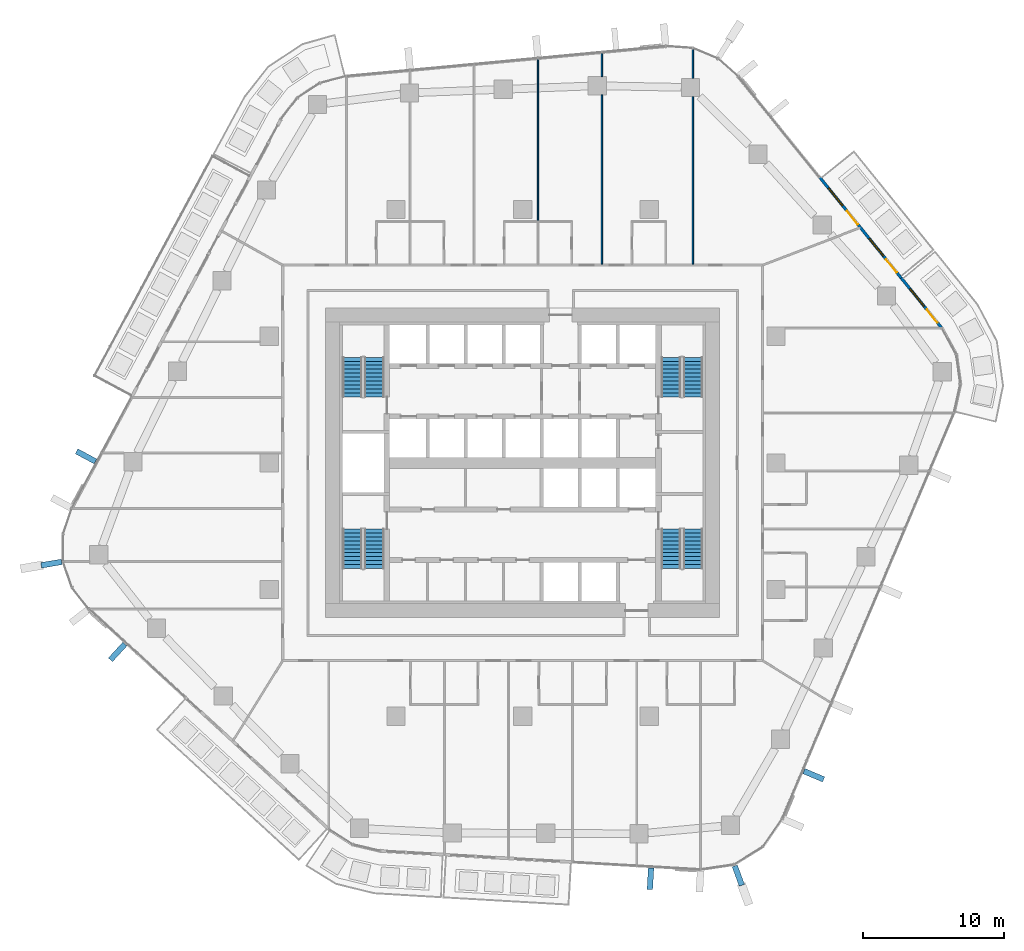
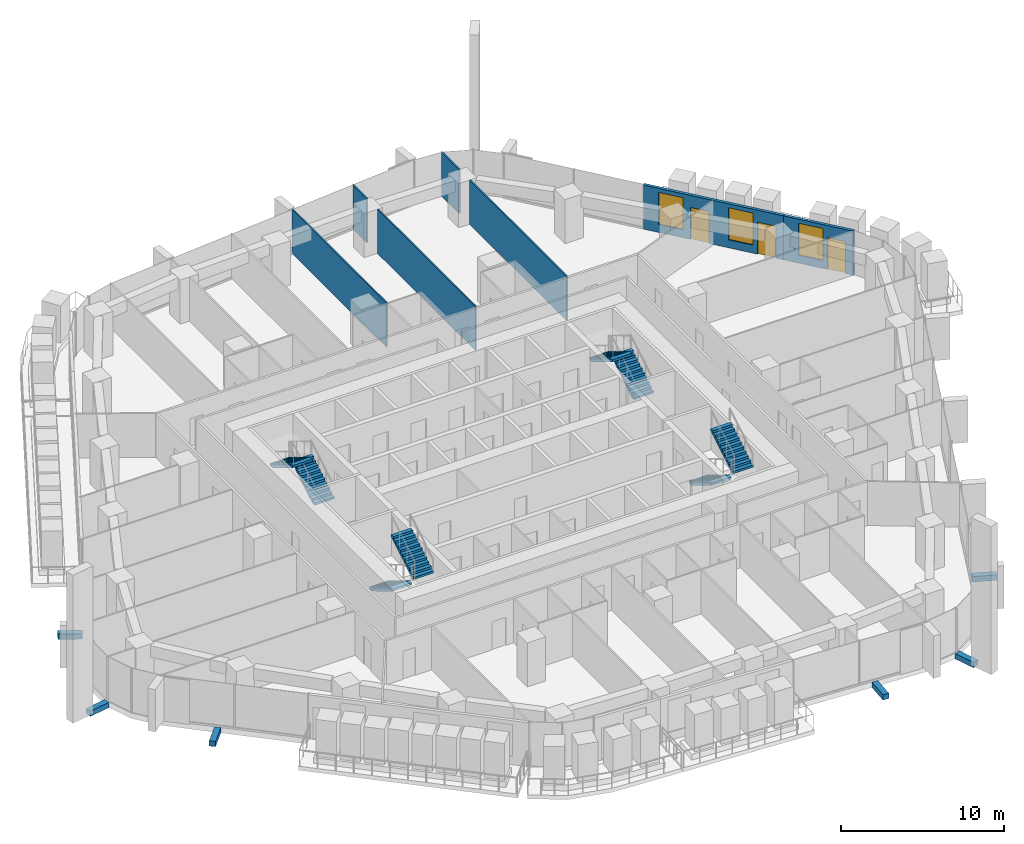
# One storey, part 17 of 24: 8 stair flights, 7 walls, 6 discrete accessories, 3 doors, 3 windows, 6 openings, 4 elements without a shape of their own.
"""IFC4 building model written with IfcOpenShell, lengths in metres."""

from ifc_helpers import new_model, si_unit, direction, frame, frame_2d, origin, origin_2d, place, context, subcontext, project, spatial, polyline, rectangle, outline, extrude, material, layer, layer_set, type_object, element, fill, aggregate, save


model = new_model("IFC4")

# Units and contexts
model_context = context("Model", 3, precision=1e-05, world=origin(), true_north=direction((0.0, 1.0)))
body_context = subcontext(model_context, "Body", "Model", "MODEL_VIEW")
ifc_project = project(units=[si_unit("LENGTHUNIT", "METRE"), si_unit("AREAUNIT", "SQUARE_METRE"), si_unit("VOLUMEUNIT", "CUBIC_METRE"), si_unit("PLANEANGLEUNIT", "RADIAN"), si_unit("MASSUNIT", "GRAM", prefix="KILO")], contexts=[model_context])

# Site, building, storey
site_placement = place(None, origin())
site = spatial("IfcSite", under=ifc_project, at=site_placement, CompositionType="ELEMENT")
building_placement = place(site_placement, origin())
building = spatial("IfcBuilding", under=site, at=building_placement, Name="Dongbaek Canopy Tower", CompositionType="ELEMENT")
storey_placement = place(building_placement, frame((0.0, 0.0, 117.39990234375)))
storey = spatial("IfcBuildingStorey", under=building, at=storey_placement, Name="L25", CompositionType="ELEMENT", Elevation=117.39990234375)

# Walls
ifc_material_1 = material(Name="Gypsum board partition, steel stud, 2 x 12.5 mm board", Category="steel")
ifc_layer_1 = layer(ifc_material_1, 0.10009765625)
ifc_layer_set_1 = layer_set([ifc_layer_1], Name="Partition 100 gypsum board")
wall_type_1 = type_object("IfcWallType", Name="Partition 100 gypsum board", PredefinedType="PARTITIONING", material=ifc_layer_set_1)
wall_1_placement = place(storey_placement, frame((12.091064453125, 14.125, 0.0), z_axis=(0.0, 0.0, 1.0), x_axis=(0.0, 1.0, 0.0)))
element("IfcWall", 1, at=wall_1_placement, inside=storey, type_object=wall_type_1, Name="Partition", PredefinedType="PARTITIONING", context=body_context, shape_type="SweptSolid", body=[
    extrude(rectangle(XDim=11.89892578125, YDim=0.10009765625, at=frame_2d((5.949462890625, 0.0))), origin(), (0.0, 0.0, 1.0), 3.300048828125),
])
wall_2_placement = place(storey_placement, frame((12.091064453125, 27.323974609375, 0.0), z_axis=(0.0, 0.0, 1.0), x_axis=(0.0, 1.0, 0.0)))
element("IfcWall", 2, at=wall_2_placement, inside=storey, type_object=wall_type_1, Name="Partition", PredefinedType="PARTITIONING", context=body_context, shape_type="SweptSolid", body=[
    extrude(rectangle(XDim=2.12841796875, YDim=0.10009765625, at=frame_2d((1.064208984375, 0.0))), origin(), (0.0, 0.0, 1.0), 3.300048828125),
])
wall_3_placement = place(storey_placement, frame((5.62890625, 14.125, 0.0), z_axis=(0.0, 0.0, 1.0), x_axis=(0.0, 1.0, 0.0)))
element("IfcWall", 3, at=wall_3_placement, inside=storey, type_object=wall_type_1, Name="Partition", PredefinedType="PARTITIONING", context=body_context, shape_type="SweptSolid", body=[
    extrude(rectangle(XDim=12.02294921875, YDim=0.10009765625, at=frame_2d((6.011474609375, 0.0))), origin(), (0.0, 0.0, 1.0), 3.300048828125),
])
wall_4_placement = place(storey_placement, frame((5.62890625, 27.447998046875, 0.0), z_axis=(0.0, 0.0, 1.0), x_axis=(0.0, 1.0, 0.0)))
element("IfcWall", 4, at=wall_4_placement, inside=storey, type_object=wall_type_1, Name="Partition", PredefinedType="PARTITIONING", context=body_context, shape_type="SweptSolid", body=[
    extrude(rectangle(XDim=1.716796875, YDim=0.10009765625, at=frame_2d((0.8583984375, 0.0))), origin(), (0.0, 0.0, 1.0), 3.300048828125),
])
wall_5_placement = place(storey_placement, frame((1.0869140625, 17.199951171875, 0.0), z_axis=(0.0, 0.0, 1.0), x_axis=(0.0, 1.0, 0.0)))
element("IfcWall", 5, at=wall_5_placement, inside=storey, type_object=wall_type_1, Name="Partition", PredefinedType="PARTITIONING", context=body_context, shape_type="SweptSolid", body=[
    extrude(rectangle(XDim=11.538818359375, YDim=0.10009765625, at=frame_2d((5.76953125, 0.0))), origin(), (0.0, 0.0, 1.0), 3.300048828125),
])

# Wall, openings, doors, windows
ifc_material_2 = material(Name="Aluminium window wall", Category="aluminium")
ifc_layer_2 = layer(ifc_material_2, 0.199951171875)
ifc_layer_set_2 = layer_set([ifc_layer_2], Name="Window wall 200")
wall_type_2 = type_object("IfcWallType", Name="Window wall 200", PredefinedType="SOLIDWALL", material=ifc_layer_set_2)
wall_6_placement = place(storey_placement, frame((26.892333984375, 13.141845703125, 0.0), z_axis=(0.0, 0.0, 1.0), x_axis=(-0.629299699172, 0.777162716953, 0.0)))
wall_6 = element("IfcWall", 6, at=wall_6_placement, inside=storey, type_object=wall_type_2, Name="Window wall L25 1", PredefinedType="SOLIDWALL", context=body_context, shape_type="SweptSolid", body=[
    extrude(rectangle(XDim=9.205078125, YDim=0.199951171875, at=frame_2d((4.6025390625, 0.0))), origin(), (0.0, 0.0, 1.0), 3.300048828125),
])
opening_1_placement = place(wall_6_placement, frame((2.0, 0.0, 0.60009765625)))
opening_1 = element("IfcOpeningElement", 7, at=opening_1_placement, cuts=wall_6, Name="Opening W1", PredefinedType="OPENING", context=body_context, shape_type="SweptSolid", body=[
    extrude(rectangle(XDim=1.60009765625, YDim=2.39990234375, at=frame_2d((0.800048828125, 1.199951171875))), frame((0.0, 0.10986328125, 0.0), z_axis=(0.0, -1.0, 0.0), x_axis=(1.0, 0.0, 0.0)), (0.0, 0.0, 1.0), 0.219970703125),
])
opening_2_placement = place(wall_6_placement, frame((0.5, 0.0, 0.0)))
opening_2 = element("IfcOpeningElement", 8, at=opening_2_placement, cuts=wall_6, Name="Opening L25-B01", PredefinedType="OPENING", context=body_context, shape_type="SweptSolid", body=[
    extrude(rectangle(XDim=1.199951171875, YDim=2.39990234375, at=frame_2d((0.60009765625, 1.199951171875))), frame((0.0, 0.10986328125, 0.0), z_axis=(0.0, -1.0, 0.0), x_axis=(1.0, 0.0, 0.0)), (0.0, 0.0, 1.0), 0.219970703125),
])
opening_3_placement = place(wall_6_placement, frame((6.6025390625, 0.0, 0.60009765625)))
opening_3 = element("IfcOpeningElement", 9, at=opening_3_placement, cuts=wall_6, Name="Opening W1", PredefinedType="OPENING", context=body_context, shape_type="SweptSolid", body=[
    extrude(rectangle(XDim=1.60009765625, YDim=2.39990234375, at=frame_2d((0.800048828125, 1.199951171875))), frame((0.0, 0.10986328125, 0.0), z_axis=(0.0, -1.0, 0.0), x_axis=(1.0, 0.0, 0.0)), (0.0, 0.0, 1.0), 0.219970703125),
])
opening_4_placement = place(wall_6_placement, frame((4.902587890625, 0.0, 0.0)))
opening_4 = element("IfcOpeningElement", 10, at=opening_4_placement, cuts=wall_6, Name="Opening L25-B02", PredefinedType="OPENING", context=body_context, shape_type="SweptSolid", body=[
    extrude(rectangle(XDim=1.199951171875, YDim=2.39990234375, at=frame_2d((0.60009765625, 1.199951171875))), frame((0.0, 0.10986328125, 0.0), z_axis=(0.0, -1.0, 0.0), x_axis=(1.0, 0.0, 0.0)), (0.0, 0.0, 1.0), 0.219970703125),
])
ifc_material_3 = material(Name="Clear glazing in aluminium frame", Category="aluminium")
door_type = type_object("IfcDoorType", Name="Balcony door BD1 1200 x 2400", OperationType="SLIDING_TO_LEFT", PredefinedType="DOOR", material=ifc_material_3)
door_1_placement = place(opening_2_placement, origin())
door_1 = element("IfcDoor", 11, at=door_1_placement, inside=storey, type_object=door_type, Name="Balcony door L25-B01", OperationType="SLIDING_TO_LEFT", OverallHeight=2.39990234375, OverallWidth=1.199951171875, PredefinedType="DOOR", context=body_context, shape_type="SweptSolid", body=[
    extrude(rectangle(XDim=1.199951171875, YDim=2.39990234375, at=frame_2d((0.60009765625, 1.199951171875))), frame((0.0, 0.02490234375, 0.0), z_axis=(0.0, -1.0, 0.0), x_axis=(1.0, 0.0, 0.0)), (0.0, 0.0, 1.0), 0.050048828125),
])
fill(opening_2, door_1)
door_2_placement = place(opening_4_placement, origin())
door_2 = element("IfcDoor", 12, at=door_2_placement, inside=storey, type_object=door_type, Name="Balcony door L25-B02", OperationType="SLIDING_TO_LEFT", OverallHeight=2.39990234375, OverallWidth=1.199951171875, PredefinedType="DOOR", context=body_context, shape_type="SweptSolid", body=[
    extrude(rectangle(XDim=1.199951171875, YDim=2.39990234375, at=frame_2d((0.60009765625, 1.199951171875))), frame((0.0, 0.02490234375, 0.0), z_axis=(0.0, -1.0, 0.0), x_axis=(1.0, 0.0, 0.0)), (0.0, 0.0, 1.0), 0.050048828125),
])
fill(opening_4, door_2)
ifc_material_4 = material(Name="Clear glazing in aluminium frame", Category="aluminium")
window_type = type_object("IfcWindowType", Name="Window W1 1600 x 2400", PartitioningType="SINGLE_PANEL", PredefinedType="WINDOW", material=ifc_material_4)
window_1_placement = place(opening_1_placement, origin())
window_1 = element("IfcWindow", 13, at=window_1_placement, inside=storey, type_object=window_type, Name="Window L25 1.1", OverallHeight=2.39990234375, OverallWidth=1.60009765625, PartitioningType="SINGLE_PANEL", PredefinedType="WINDOW", context=body_context, shape_type="SweptSolid", body=[
    extrude(rectangle(XDim=1.60009765625, YDim=2.39990234375, at=frame_2d((0.800048828125, 1.199951171875))), frame((0.0, 0.030029296875, 0.0), z_axis=(0.0, -1.0, 0.0), x_axis=(1.0, 0.0, 0.0)), (0.0, 0.0, 1.0), 0.06005859375),
])
fill(opening_1, window_1)
window_2_placement = place(opening_3_placement, origin())
window_2 = element("IfcWindow", 14, at=window_2_placement, inside=storey, type_object=window_type, Name="Window L25 1.2", OverallHeight=2.39990234375, OverallWidth=1.60009765625, PartitioningType="SINGLE_PANEL", PredefinedType="WINDOW", context=body_context, shape_type="SweptSolid", body=[
    extrude(rectangle(XDim=1.60009765625, YDim=2.39990234375, at=frame_2d((0.800048828125, 1.199951171875))), frame((0.0, 0.030029296875, 0.0), z_axis=(0.0, -1.0, 0.0), x_axis=(1.0, 0.0, 0.0)), (0.0, 0.0, 1.0), 0.06005859375),
])
fill(opening_3, window_2)

# Wall, openings, door, window
wall_7_placement = place(storey_placement, frame((29.782958984375, 9.572021484375, 0.0), z_axis=(0.0, 0.0, 1.0), x_axis=(-0.629299136059, 0.777163172928, 0.0)))
wall_7 = element("IfcWall", 15, at=wall_7_placement, inside=storey, type_object=wall_type_2, Name="Window wall L25 5", PredefinedType="SOLIDWALL", context=body_context, shape_type="SweptSolid", body=[
    extrude(rectangle(XDim=4.593505859375, YDim=0.199951171875, at=frame_2d((2.296875, 0.0))), origin(), (0.0, 0.0, 1.0), 3.300048828125),
])
opening_5_placement = place(wall_7_placement, frame((2.0, 0.0, 0.60009765625)))
opening_5 = element("IfcOpeningElement", 16, at=opening_5_placement, cuts=wall_7, Name="Opening W1", PredefinedType="OPENING", context=body_context, shape_type="SweptSolid", body=[
    extrude(rectangle(XDim=1.60009765625, YDim=2.39990234375, at=frame_2d((0.800048828125, 1.199951171875))), frame((0.0, 0.10986328125, 0.0), z_axis=(0.0, -1.0, 0.0), x_axis=(1.0, 0.0, 0.0)), (0.0, 0.0, 1.0), 0.219970703125),
])
opening_6_placement = place(wall_7_placement, frame((0.5, 0.0, 0.0)))
opening_6 = element("IfcOpeningElement", 17, at=opening_6_placement, cuts=wall_7, Name="Opening L25-B03", PredefinedType="OPENING", context=body_context, shape_type="SweptSolid", body=[
    extrude(rectangle(XDim=1.199951171875, YDim=2.39990234375, at=frame_2d((0.60009765625, 1.199951171875))), frame((0.0, 0.10986328125, 0.0), z_axis=(0.0, -1.0, 0.0), x_axis=(1.0, 0.0, 0.0)), (0.0, 0.0, 1.0), 0.219970703125),
])
door_3_placement = place(opening_6_placement, origin())
door_3 = element("IfcDoor", 18, at=door_3_placement, inside=storey, type_object=door_type, Name="Balcony door L25-B03", OperationType="SLIDING_TO_LEFT", OverallHeight=2.39990234375, OverallWidth=1.199951171875, PredefinedType="DOOR", context=body_context, shape_type="SweptSolid", body=[
    extrude(rectangle(XDim=1.199951171875, YDim=2.39990234375, at=frame_2d((0.60009765625, 1.199951171875))), frame((0.0, 0.02490234375, 0.0), z_axis=(0.0, -1.0, 0.0), x_axis=(1.0, 0.0, 0.0)), (0.0, 0.0, 1.0), 0.050048828125),
])
fill(opening_6, door_3)
window_3_placement = place(opening_5_placement, origin())
window_3 = element("IfcWindow", 19, at=window_3_placement, inside=storey, type_object=window_type, Name="Window L25 5.1", OverallHeight=2.39990234375, OverallWidth=1.60009765625, PartitioningType="SINGLE_PANEL", PredefinedType="WINDOW", context=body_context, shape_type="SweptSolid", body=[
    extrude(rectangle(XDim=1.60009765625, YDim=2.39990234375, at=frame_2d((0.800048828125, 1.199951171875))), frame((0.0, 0.030029296875, 0.0), z_axis=(0.0, -1.0, 0.0), x_axis=(1.0, 0.0, 0.0)), (0.0, 0.0, 1.0), 0.06005859375),
])
fill(opening_5, window_3)

# Stair, stair flights
ifc_material_5 = material(Name="Concrete C40/50", Category="concrete")
stair_type = type_object("IfcStairType", Name="Core exit stair", PredefinedType="HALF_TURN_STAIR", material=ifc_material_5)
stair_1_placement = place(storey_placement, origin())
stair_1 = element("IfcStair", 20, at=stair_1_placement, inside=storey, type_object=stair_type, Name="L25 exit stair A", PredefinedType="HALF_TURN_STAIR")
ifc_material_6 = material(Name="Concrete C40/50", Category="concrete")
ifc_layer_3 = layer(ifc_material_6, 0.14990234375)
ifc_layer_set_3 = layer_set([ifc_layer_3], Name="Core stair flight 150 waist")
stair_flight_type = type_object("IfcStairFlightType", Name="Core stair flight 150 waist", PredefinedType="STRAIGHT", material=ifc_layer_set_3)
stair_flight_1_placement = place(storey_placement, frame((12.10009765625, 4.699951171875, 0.0), z_axis=(0.0, 0.0, 1.0), x_axis=(0.0, 1.0, 0.0)))
stair_flight_1 = element("IfcStairFlight", 21, at=stair_flight_1_placement, type_object=stair_flight_type, Name="ST-A flight 1", NumberOfRisers=11, NumberOfTreads=10, PredefinedType="STRAIGHT", RiserHeight=0.168181818, TreadLength=0.28, context=body_context, shape_type="SweptSolid", body=[
    extrude(outline(polyline([(0.0, 0.0), (0.0, 0.168212890625), (0.280029296875, 0.168212890625), (0.280029296875, 0.33642578125), (0.56005859375, 0.33642578125), (0.56005859375, 0.504638671875), (0.840087890625, 0.504638671875), (0.840087890625, 0.672607421875), (1.1201171875, 0.672607421875), (1.1201171875, 0.8408203125), (1.39990234375, 0.8408203125), (1.39990234375, 1.009033203125), (1.679931640625, 1.009033203125), (1.679931640625, 1.17724609375), (1.9599609375, 1.17724609375), (1.9599609375, 1.345458984375), (2.239990234375, 1.345458984375), (2.239990234375, 1.513671875), (2.52001953125, 1.513671875), (2.52001953125, 1.681884765625), (2.800048828125, 1.681884765625), (2.800048828125, 1.85009765625), (2.800048828125, 1.5068359375), (0.291015625, 0.0), (0.0, 0.0)])), frame((0.0, 0.699951171875, 0.0), z_axis=(0.0, -1.0, 0.0), x_axis=(1.0, 0.0, 0.0)), (0.0, 0.0, 1.0), 1.39990234375),
])
stair_flight_2_placement = place(storey_placement, frame((10.550048828125, 7.5, 1.85009765625), z_axis=(0.0, 0.0, 1.0), x_axis=(0.0, -1.0, 0.0)))
stair_flight_2 = element("IfcStairFlight", 22, at=stair_flight_2_placement, type_object=stair_flight_type, Name="ST-A flight 2", NumberOfRisers=11, NumberOfTreads=10, PredefinedType="STRAIGHT", RiserHeight=0.168181818, TreadLength=0.28, context=body_context, shape_type="SweptSolid", body=[
    extrude(outline(polyline([(0.0, 0.0), (0.0, 0.168212890625), (0.280029296875, 0.168212890625), (0.280029296875, 0.33642578125), (0.56005859375, 0.33642578125), (0.56005859375, 0.504638671875), (0.840087890625, 0.504638671875), (0.840087890625, 0.672607421875), (1.1201171875, 0.672607421875), (1.1201171875, 0.8408203125), (1.39990234375, 0.8408203125), (1.39990234375, 1.009033203125), (1.679931640625, 1.009033203125), (1.679931640625, 1.17724609375), (1.9599609375, 1.17724609375), (1.9599609375, 1.345458984375), (2.239990234375, 1.345458984375), (2.239990234375, 1.513671875), (2.52001953125, 1.513671875), (2.52001953125, 1.681884765625), (2.800048828125, 1.681884765625), (2.800048828125, 1.85009765625), (2.800048828125, 1.5068359375), (0.291015625, 0.0), (0.0, 0.0)])), frame((0.0, 0.699951171875, 0.0), z_axis=(0.0, -1.0, 0.0), x_axis=(1.0, 0.0, 0.0)), (0.0, 0.0, 1.0), 1.39990234375),
])
aggregate(stair_1, [stair_flight_1, stair_flight_2])

stair_2_placement = place(storey_placement, origin())
stair_2 = element("IfcStair", 23, at=stair_2_placement, inside=storey, type_object=stair_type, Name="L25 exit stair C", PredefinedType="HALF_TURN_STAIR")
stair_flight_3_placement = place(storey_placement, frame((-10.550048828125, 4.699951171875, 0.0), z_axis=(0.0, 0.0, 1.0), x_axis=(0.0, 1.0, 0.0)))
stair_flight_3 = element("IfcStairFlight", 24, at=stair_flight_3_placement, type_object=stair_flight_type, Name="ST-C flight 1", NumberOfRisers=11, NumberOfTreads=10, PredefinedType="STRAIGHT", RiserHeight=0.168181818, TreadLength=0.28, context=body_context, shape_type="SweptSolid", body=[
    extrude(outline(polyline([(0.0, 0.0), (0.0, 0.168212890625), (0.280029296875, 0.168212890625), (0.280029296875, 0.33642578125), (0.56005859375, 0.33642578125), (0.56005859375, 0.504638671875), (0.840087890625, 0.504638671875), (0.840087890625, 0.672607421875), (1.1201171875, 0.672607421875), (1.1201171875, 0.8408203125), (1.39990234375, 0.8408203125), (1.39990234375, 1.009033203125), (1.679931640625, 1.009033203125), (1.679931640625, 1.17724609375), (1.9599609375, 1.17724609375), (1.9599609375, 1.345458984375), (2.239990234375, 1.345458984375), (2.239990234375, 1.513671875), (2.52001953125, 1.513671875), (2.52001953125, 1.681884765625), (2.800048828125, 1.681884765625), (2.800048828125, 1.85009765625), (2.800048828125, 1.5068359375), (0.291015625, 0.0), (0.0, 0.0)])), frame((0.0, 0.699951171875, 0.0), z_axis=(0.0, -1.0, 0.0), x_axis=(1.0, 0.0, 0.0)), (0.0, 0.0, 1.0), 1.39990234375),
])
stair_flight_4_placement = place(storey_placement, frame((-12.10009765625, 7.5, 1.85009765625), z_axis=(0.0, 0.0, 1.0), x_axis=(0.0, -1.0, 0.0)))
stair_flight_4 = element("IfcStairFlight", 25, at=stair_flight_4_placement, type_object=stair_flight_type, Name="ST-C flight 2", NumberOfRisers=11, NumberOfTreads=10, PredefinedType="STRAIGHT", RiserHeight=0.168181818, TreadLength=0.28, context=body_context, shape_type="SweptSolid", body=[
    extrude(outline(polyline([(0.0, 0.0), (0.0, 0.168212890625), (0.280029296875, 0.168212890625), (0.280029296875, 0.33642578125), (0.56005859375, 0.33642578125), (0.56005859375, 0.504638671875), (0.840087890625, 0.504638671875), (0.840087890625, 0.672607421875), (1.1201171875, 0.672607421875), (1.1201171875, 0.8408203125), (1.39990234375, 0.8408203125), (1.39990234375, 1.009033203125), (1.679931640625, 1.009033203125), (1.679931640625, 1.17724609375), (1.9599609375, 1.17724609375), (1.9599609375, 1.345458984375), (2.239990234375, 1.345458984375), (2.239990234375, 1.513671875), (2.52001953125, 1.513671875), (2.52001953125, 1.681884765625), (2.800048828125, 1.681884765625), (2.800048828125, 1.85009765625), (2.800048828125, 1.5068359375), (0.291015625, 0.0), (0.0, 0.0)])), frame((0.0, 0.699951171875, 0.0), z_axis=(0.0, -1.0, 0.0), x_axis=(1.0, 0.0, 0.0)), (0.0, 0.0, 1.0), 1.39990234375),
])
aggregate(stair_2, [stair_flight_3, stair_flight_4])

stair_3_placement = place(storey_placement, origin())
stair_3 = element("IfcStair", 26, at=stair_3_placement, inside=storey, type_object=stair_type, Name="L25 exit stair B", PredefinedType="HALF_TURN_STAIR")
stair_flight_5_placement = place(storey_placement, frame((10.550048828125, -4.699951171875, 0.0), z_axis=(0.0, 0.0, 1.0), x_axis=(0.0, -1.0, 0.0)))
stair_flight_5 = element("IfcStairFlight", 27, at=stair_flight_5_placement, type_object=stair_flight_type, Name="ST-B flight 1", NumberOfRisers=11, NumberOfTreads=10, PredefinedType="STRAIGHT", RiserHeight=0.168181818, TreadLength=0.28, context=body_context, shape_type="SweptSolid", body=[
    extrude(outline(polyline([(0.0, 0.0), (0.0, 0.168212890625), (0.280029296875, 0.168212890625), (0.280029296875, 0.33642578125), (0.56005859375, 0.33642578125), (0.56005859375, 0.504638671875), (0.840087890625, 0.504638671875), (0.840087890625, 0.672607421875), (1.1201171875, 0.672607421875), (1.1201171875, 0.8408203125), (1.39990234375, 0.8408203125), (1.39990234375, 1.009033203125), (1.679931640625, 1.009033203125), (1.679931640625, 1.17724609375), (1.9599609375, 1.17724609375), (1.9599609375, 1.345458984375), (2.239990234375, 1.345458984375), (2.239990234375, 1.513671875), (2.52001953125, 1.513671875), (2.52001953125, 1.681884765625), (2.800048828125, 1.681884765625), (2.800048828125, 1.85009765625), (2.800048828125, 1.5068359375), (0.291015625, 0.0), (0.0, 0.0)])), frame((0.0, 0.699951171875, 0.0), z_axis=(0.0, -1.0, 0.0), x_axis=(1.0, 0.0, 0.0)), (0.0, 0.0, 1.0), 1.39990234375),
])
stair_flight_6_placement = place(storey_placement, frame((12.10009765625, -7.5, 1.85009765625), z_axis=(0.0, 0.0, 1.0), x_axis=(0.0, 1.0, 0.0)))
stair_flight_6 = element("IfcStairFlight", 28, at=stair_flight_6_placement, type_object=stair_flight_type, Name="ST-B flight 2", NumberOfRisers=11, NumberOfTreads=10, PredefinedType="STRAIGHT", RiserHeight=0.168181818, TreadLength=0.28, context=body_context, shape_type="SweptSolid", body=[
    extrude(outline(polyline([(0.0, 0.0), (0.0, 0.168212890625), (0.280029296875, 0.168212890625), (0.280029296875, 0.33642578125), (0.56005859375, 0.33642578125), (0.56005859375, 0.504638671875), (0.840087890625, 0.504638671875), (0.840087890625, 0.672607421875), (1.1201171875, 0.672607421875), (1.1201171875, 0.8408203125), (1.39990234375, 0.8408203125), (1.39990234375, 1.009033203125), (1.679931640625, 1.009033203125), (1.679931640625, 1.17724609375), (1.9599609375, 1.17724609375), (1.9599609375, 1.345458984375), (2.239990234375, 1.345458984375), (2.239990234375, 1.513671875), (2.52001953125, 1.513671875), (2.52001953125, 1.681884765625), (2.800048828125, 1.681884765625), (2.800048828125, 1.85009765625), (2.800048828125, 1.5068359375), (0.291015625, 0.0), (0.0, 0.0)])), frame((0.0, 0.699951171875, 0.0), z_axis=(0.0, -1.0, 0.0), x_axis=(1.0, 0.0, 0.0)), (0.0, 0.0, 1.0), 1.39990234375),
])
aggregate(stair_3, [stair_flight_5, stair_flight_6])

stair_4_placement = place(storey_placement, origin())
stair_4 = element("IfcStair", 29, at=stair_4_placement, inside=storey, type_object=stair_type, Name="L25 exit stair D", PredefinedType="HALF_TURN_STAIR")
stair_flight_7_placement = place(storey_placement, frame((-12.10009765625, -4.699951171875, 0.0), z_axis=(0.0, 0.0, 1.0), x_axis=(0.0, -1.0, 0.0)))
stair_flight_7 = element("IfcStairFlight", 30, at=stair_flight_7_placement, type_object=stair_flight_type, Name="ST-D flight 1", NumberOfRisers=11, NumberOfTreads=10, PredefinedType="STRAIGHT", RiserHeight=0.168181818, TreadLength=0.28, context=body_context, shape_type="SweptSolid", body=[
    extrude(outline(polyline([(0.0, 0.0), (0.0, 0.168212890625), (0.280029296875, 0.168212890625), (0.280029296875, 0.33642578125), (0.56005859375, 0.33642578125), (0.56005859375, 0.504638671875), (0.840087890625, 0.504638671875), (0.840087890625, 0.672607421875), (1.1201171875, 0.672607421875), (1.1201171875, 0.8408203125), (1.39990234375, 0.8408203125), (1.39990234375, 1.009033203125), (1.679931640625, 1.009033203125), (1.679931640625, 1.17724609375), (1.9599609375, 1.17724609375), (1.9599609375, 1.345458984375), (2.239990234375, 1.345458984375), (2.239990234375, 1.513671875), (2.52001953125, 1.513671875), (2.52001953125, 1.681884765625), (2.800048828125, 1.681884765625), (2.800048828125, 1.85009765625), (2.800048828125, 1.5068359375), (0.291015625, 0.0), (0.0, 0.0)])), frame((0.0, 0.699951171875, 0.0), z_axis=(0.0, -1.0, 0.0), x_axis=(1.0, 0.0, 0.0)), (0.0, 0.0, 1.0), 1.39990234375),
])
stair_flight_8_placement = place(storey_placement, frame((-10.550048828125, -7.5, 1.85009765625), z_axis=(0.0, 0.0, 1.0), x_axis=(0.0, 1.0, 0.0)))
stair_flight_8 = element("IfcStairFlight", 31, at=stair_flight_8_placement, type_object=stair_flight_type, Name="ST-D flight 2", NumberOfRisers=11, NumberOfTreads=10, PredefinedType="STRAIGHT", RiserHeight=0.168181818, TreadLength=0.28, context=body_context, shape_type="SweptSolid", body=[
    extrude(outline(polyline([(0.0, 0.0), (0.0, 0.168212890625), (0.280029296875, 0.168212890625), (0.280029296875, 0.33642578125), (0.56005859375, 0.33642578125), (0.56005859375, 0.504638671875), (0.840087890625, 0.504638671875), (0.840087890625, 0.672607421875), (1.1201171875, 0.672607421875), (1.1201171875, 0.8408203125), (1.39990234375, 0.8408203125), (1.39990234375, 1.009033203125), (1.679931640625, 1.009033203125), (1.679931640625, 1.17724609375), (1.9599609375, 1.17724609375), (1.9599609375, 1.345458984375), (2.239990234375, 1.345458984375), (2.239990234375, 1.513671875), (2.52001953125, 1.513671875), (2.52001953125, 1.681884765625), (2.800048828125, 1.681884765625), (2.800048828125, 1.85009765625), (2.800048828125, 1.5068359375), (0.291015625, 0.0), (0.0, 0.0)])), frame((0.0, 0.699951171875, 0.0), z_axis=(0.0, -1.0, 0.0), x_axis=(1.0, 0.0, 0.0)), (0.0, 0.0, 1.0), 1.39990234375),
])
aggregate(stair_4, [stair_flight_7, stair_flight_8])

# Discrete accessories
ifc_material_7 = material(Name="Galvanised steel S355 bracket", Category="steel")
discrete_accessory_type = type_object("IfcDiscreteAccessoryType", Name="Crease fin bracket BR3 400", PredefinedType="BRACKET", material=ifc_material_7)
discrete_accessory_1_placement = place(storey_placement, frame((-31.024169921875, 0.466796875, -0.39990234375), z_axis=(0.0, 0.0, 1.0), x_axis=(-0.88084281997, 0.473408836533, 0.0)))
element("IfcDiscreteAccessory", 32, at=discrete_accessory_1_placement, inside=storey, type_object=discrete_accessory_type, Name="Crease fin bracket L25 F2", PredefinedType="BRACKET", context=body_context, shape_type="SweptSolid", body=[
    extrude(rectangle(XDim=1.521240234375, YDim=0.39990234375, at=origin_2d()), origin(), (0.0, 0.0, 1.0), 0.39990234375),
])
discrete_accessory_2_placement = place(storey_placement, frame((-28.776611328125, -13.42919921875, -0.39990234375), z_axis=(0.0, 0.0, 1.0), x_axis=(-0.675980011014, -0.736919958143, 0.0)))
element("IfcDiscreteAccessory", 33, at=discrete_accessory_2_placement, inside=storey, type_object=discrete_accessory_type, Name="Crease fin bracket L25 F3", PredefinedType="BRACKET", context=body_context, shape_type="SweptSolid", body=[
    extrude(rectangle(XDim=1.523681640625, YDim=0.39990234375, at=origin_2d()), origin(), (0.0, 0.0, 1.0), 0.39990234375),
])
discrete_accessory_3_placement = place(storey_placement, frame((9.0791015625, -29.541748046875, -0.39990234375), z_axis=(0.0, 0.0, 1.0), x_axis=(-0.057753951351, -0.998330847517, 0.0)))
element("IfcDiscreteAccessory", 34, at=discrete_accessory_3_placement, inside=storey, type_object=discrete_accessory_type, Name="Crease fin bracket L25 F4", PredefinedType="BRACKET", context=body_context, shape_type="SweptSolid", body=[
    extrude(rectangle(XDim=1.52490234375, YDim=0.39990234375, at=origin_2d()), origin(), (0.0, 0.0, 1.0), 0.39990234375),
])
discrete_accessory_4_placement = place(storey_placement, frame((20.679931640625, -22.191650390625, -0.39990234375), z_axis=(0.0, 0.0, 1.0), x_axis=(0.920957733069, -0.389662487162, 0.0)))
element("IfcDiscreteAccessory", 35, at=discrete_accessory_4_placement, inside=storey, type_object=discrete_accessory_type, Name="Crease fin bracket L25 F5", PredefinedType="BRACKET", context=body_context, shape_type="SweptSolid", body=[
    extrude(rectangle(XDim=1.52294921875, YDim=0.39990234375, at=origin_2d()), origin(), (0.0, 0.0, 1.0), 0.39990234375),
])
for number, where, z_axis, x_axis, name in (
    (36, (-33.48095703125, -7.153564453125, -0.39990234375), (0.0, 0.0, 1.0), (-0.985975946341, -0.16688748676, 0.0), "Corner fin bracket L25 K3"),
    (37, (15.318115234375, -29.317626953125, -0.39990234375), (0.0, 0.0, 1.0), (0.34445122323, -0.93880421538, 0.0), "Corner fin bracket L25 K5"),
):
    element("IfcDiscreteAccessory", number, at=place(storey_placement, frame(where, z_axis=z_axis, x_axis=x_axis)), inside=storey, type_object=discrete_accessory_type, Name=name, PredefinedType="BRACKET", context=body_context, shape_type="SweptSolid", body=[
        extrude(rectangle(XDim=1.469970703125, YDim=0.39990234375, at=origin_2d()), origin(), (0.0, 0.0, 1.0), 0.39990234375),
    ])

save(model, "model.ifc")
